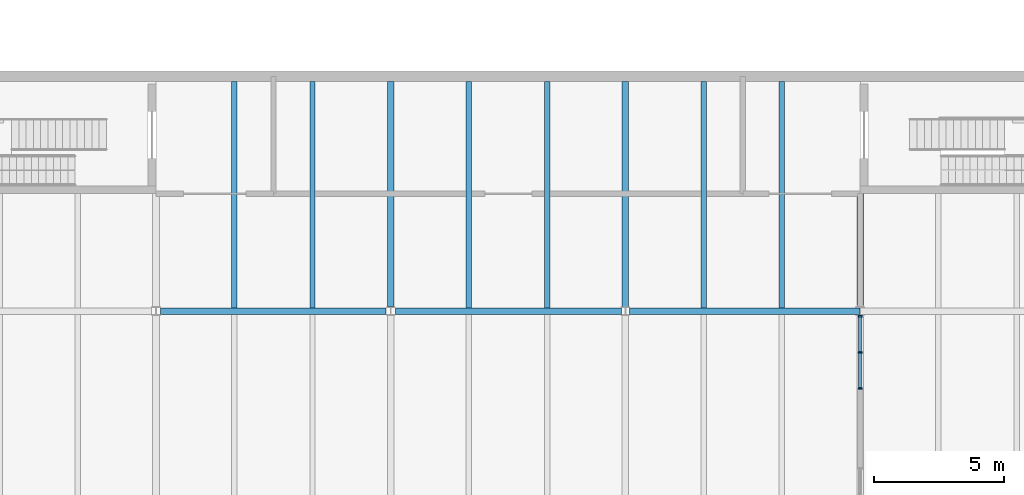
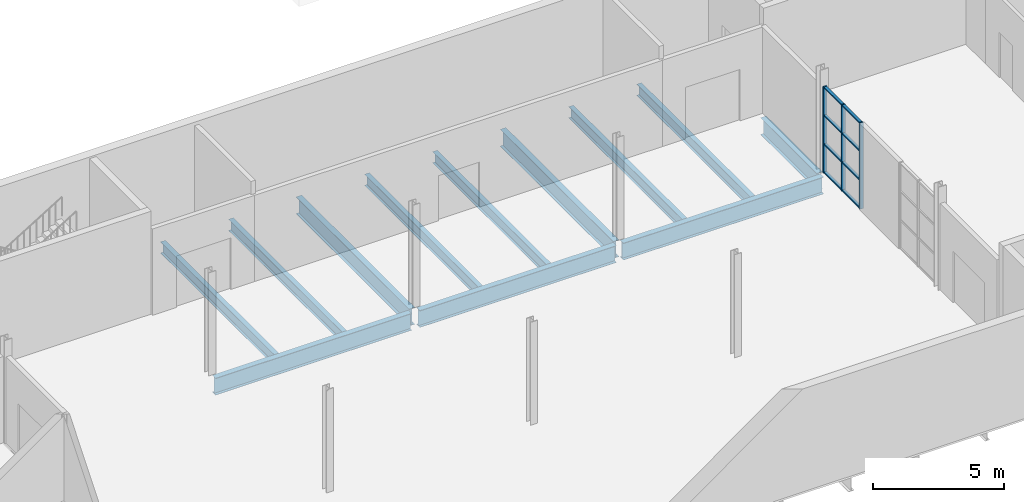
# One storey, part 12 of 31: 12 beams, 11 members, 1 element without a shape of its own.
"""IFC4 building model written with IfcOpenShell, lengths in metres."""

from ifc_helpers import new_model, si_unit, direction, frame, origin, origin_2d, place, context, subcontext, project, spatial, rectangle, i_section, extrude, material, layer, layer_set, material_profile, profile_set, type_object, element, aggregate, save


model = new_model("IFC4")

# Units and contexts
model_context = context("Model", 3, precision=1e-05, world=origin(), true_north=direction((0.0, 1.0)))
body_context = subcontext(model_context, "Body", "Model", "MODEL_VIEW")
ifc_project = project(units=[si_unit("LENGTHUNIT", "METRE"), si_unit("AREAUNIT", "SQUARE_METRE"), si_unit("VOLUMEUNIT", "CUBIC_METRE"), si_unit("PLANEANGLEUNIT", "RADIAN"), si_unit("MASSUNIT", "GRAM", prefix="KILO")], contexts=[model_context])

# Site, building, storey
site_placement = place(None, origin())
site = spatial("IfcSite", under=ifc_project, at=site_placement, CompositionType="ELEMENT")
building_placement = place(site_placement, origin())
building = spatial("IfcBuilding", under=site, at=building_placement, Name="Halyard Row Museum", CompositionType="ELEMENT")
storey_placement = place(building_placement, frame((0.0, 0.0, -4.800048828125)))
storey = spatial("IfcBuildingStorey", under=building, at=storey_placement, Name="B1", CompositionType="ELEMENT", Elevation=-4.800048828125)

# Curtain wall, members
ifc_material_1 = material(Name="Fire-resisting laminated glazing", Category="glass")
ifc_layer = layer(ifc_material_1, 0.159912109375)
ifc_layer_set = layer_set([ifc_layer], Name="Fire-resisting laminated glazing")
curtain_wall_type = type_object("IfcCurtainWallType", Name="Curtain wall atrium screen 160 deep", PredefinedType="NOTDEFINED", material=ifc_layer_set)
curtain_wall_placement = place(storey_placement, origin())
curtain_wall = element("IfcCurtainWall", 1, at=curtain_wall_placement, inside=storey, type_object=curtain_wall_type, Name="Curtain wall CW119", PredefinedType="NOTDEFINED")
ifc_material_2 = material(Name="Powder-coated aluminium section", Category="aluminium")
ifc_material_profile_1 = material_profile(ifc_material_2, rectangle(XDim=0.159912109375, YDim=0.06005859375, at=origin_2d()), Name="160x60 mullion")
ifc_profile_set_1 = profile_set([ifc_material_profile_1], Name="Powder-coated aluminium section")
member_type_1 = type_object("IfcMemberType", Name="Curtain wall mullion CM5 60 x 160", PredefinedType="MULLION", material=ifc_profile_set_1)
member_1_placement = place(storey_placement, frame((63.0, 33.030029296875, 0.0), z_axis=(0.0, 0.0, 1.0), x_axis=(-1.0, 0.0, 0.0)))
member_1 = element("IfcMember", 2, at=member_1_placement, type_object=member_type_1, Name="CW119 mullion 1", PredefinedType="MULLION", context=body_context, shape_type="SweptSolid", body=[
    extrude(rectangle(XDim=0.159912109375, YDim=0.06005859375, at=origin_2d()), origin(), (0.0, 0.0, 1.0), 4.0234375),
])
member_2_placement = place(storey_placement, frame((63.0, 34.415283203125, 0.0), z_axis=(0.0, 0.0, 1.0), x_axis=(-1.0, 0.0, 0.0)))
member_2 = element("IfcMember", 3, at=member_2_placement, type_object=member_type_1, Name="CW119 mullion 2", PredefinedType="MULLION", context=body_context, shape_type="SweptSolid", body=[
    extrude(rectangle(XDim=0.159912109375, YDim=0.06005859375, at=origin_2d()), origin(), (0.0, 0.0, 1.0), 4.0234375),
])
member_3_placement = place(storey_placement, frame((63.0, 35.800537109375, 0.0), z_axis=(0.0, 0.0, 1.0), x_axis=(-1.0, 0.0, 0.0)))
member_3 = element("IfcMember", 4, at=member_3_placement, type_object=member_type_1, Name="CW119 mullion 3", PredefinedType="MULLION", context=body_context, shape_type="SweptSolid", body=[
    extrude(rectangle(XDim=0.159912109375, YDim=0.06005859375, at=origin_2d()), origin(), (0.0, 0.0, 1.0), 4.0234375),
])
ifc_material_3 = material(Name="Powder-coated aluminium section", Category="aluminium")
ifc_material_profile_2 = material_profile(ifc_material_3, rectangle(XDim=0.1201171875, YDim=0.06005859375, at=origin_2d()), Name="120x60 transom")
ifc_profile_set_2 = profile_set([ifc_material_profile_2], Name="Powder-coated aluminium section")
member_type_2 = type_object("IfcMemberType", Name="Curtain wall transom CT5 60 x 120", PredefinedType="USERDEFINED", material=ifc_profile_set_2)
member_4_placement = place(storey_placement, frame((63.0, 33.06005859375, 0.030029296875), z_axis=(0.0, 1.0, 0.0), x_axis=(-1.0, 0.0, 0.0)))
member_4 = element("IfcMember", 5, at=member_4_placement, type_object=member_type_2, Name="CW119 transom 1.1", ObjectType="TRANSOM", PredefinedType="USERDEFINED", context=body_context, shape_type="SweptSolid", body=[
    extrude(rectangle(XDim=0.1201171875, YDim=0.06005859375, at=origin_2d()), origin(), (0.0, 0.0, 1.0), 1.3251953125),
])
member_5_placement = place(storey_placement, frame((63.0, 33.06005859375, 1.341064453125), z_axis=(0.0, 1.0, 0.0), x_axis=(-1.0, 0.0, 0.0)))
member_5 = element("IfcMember", 6, at=member_5_placement, type_object=member_type_2, Name="CW119 transom 1.2", ObjectType="TRANSOM", PredefinedType="USERDEFINED", context=body_context, shape_type="SweptSolid", body=[
    extrude(rectangle(XDim=0.1201171875, YDim=0.06005859375, at=origin_2d()), origin(), (0.0, 0.0, 1.0), 1.3251953125),
])
member_6_placement = place(storey_placement, frame((63.0, 33.06005859375, 2.682373046875), z_axis=(0.0, 1.0, 0.0), x_axis=(-1.0, 0.0, 0.0)))
member_6 = element("IfcMember", 7, at=member_6_placement, type_object=member_type_2, Name="CW119 transom 1.3", ObjectType="TRANSOM", PredefinedType="USERDEFINED", context=body_context, shape_type="SweptSolid", body=[
    extrude(rectangle(XDim=0.1201171875, YDim=0.06005859375, at=origin_2d()), origin(), (0.0, 0.0, 1.0), 1.3251953125),
])
member_7_placement = place(storey_placement, frame((63.0, 33.06005859375, 3.993408203125), z_axis=(0.0, 1.0, 0.0), x_axis=(-1.0, 0.0, 0.0)))
member_7 = element("IfcMember", 8, at=member_7_placement, type_object=member_type_2, Name="CW119 transom 1.4", ObjectType="TRANSOM", PredefinedType="USERDEFINED", context=body_context, shape_type="SweptSolid", body=[
    extrude(rectangle(XDim=0.1201171875, YDim=0.06005859375, at=origin_2d()), origin(), (0.0, 0.0, 1.0), 1.3251953125),
])
member_8_placement = place(storey_placement, frame((63.0, 34.4453125, 0.030029296875), z_axis=(0.0, 1.0, 0.0), x_axis=(-1.0, 0.0, 0.0)))
member_8 = element("IfcMember", 9, at=member_8_placement, type_object=member_type_2, Name="CW119 transom 2.1", ObjectType="TRANSOM", PredefinedType="USERDEFINED", context=body_context, shape_type="SweptSolid", body=[
    extrude(rectangle(XDim=0.1201171875, YDim=0.06005859375, at=origin_2d()), origin(), (0.0, 0.0, 1.0), 1.3251953125),
])
member_9_placement = place(storey_placement, frame((63.0, 34.4453125, 1.341064453125), z_axis=(0.0, 1.0, 0.0), x_axis=(-1.0, 0.0, 0.0)))
member_9 = element("IfcMember", 10, at=member_9_placement, type_object=member_type_2, Name="CW119 transom 2.2", ObjectType="TRANSOM", PredefinedType="USERDEFINED", context=body_context, shape_type="SweptSolid", body=[
    extrude(rectangle(XDim=0.1201171875, YDim=0.06005859375, at=origin_2d()), origin(), (0.0, 0.0, 1.0), 1.3251953125),
])
member_10_placement = place(storey_placement, frame((63.0, 34.4453125, 2.682373046875), z_axis=(0.0, 1.0, 0.0), x_axis=(-1.0, 0.0, 0.0)))
member_10 = element("IfcMember", 11, at=member_10_placement, type_object=member_type_2, Name="CW119 transom 2.3", ObjectType="TRANSOM", PredefinedType="USERDEFINED", context=body_context, shape_type="SweptSolid", body=[
    extrude(rectangle(XDim=0.1201171875, YDim=0.06005859375, at=origin_2d()), origin(), (0.0, 0.0, 1.0), 1.3251953125),
])
member_11_placement = place(storey_placement, frame((63.0, 34.4453125, 3.993408203125), z_axis=(0.0, 1.0, 0.0), x_axis=(-1.0, 0.0, 0.0)))
member_11 = element("IfcMember", 12, at=member_11_placement, type_object=member_type_2, Name="CW119 transom 2.4", ObjectType="TRANSOM", PredefinedType="USERDEFINED", context=body_context, shape_type="SweptSolid", body=[
    extrude(rectangle(XDim=0.1201171875, YDim=0.06005859375, at=origin_2d()), origin(), (0.0, 0.0, 1.0), 1.3251953125),
])
aggregate(curtain_wall, [member_1, member_2, member_3, member_4, member_5, member_6, member_7, member_8, member_9, member_10, member_11])

# Beams
ifc_material_4 = material(Name="Steel Grade 300", Category="steel")
ifc_material_profile_3 = material_profile(ifc_material_4, i_section(OverallWidth=0.25, OverallDepth=0.7919921875, WebThickness=0.010009765625, FlangeThickness=0.01611328125, at=origin_2d()), Name="800WB122")
ifc_profile_set_3 = profile_set([ifc_material_profile_3], Name="Steel Grade 300")
beam_type_1 = type_object("IfcBeamType", Name="Girder beam 800WB122 (lowered 85)", PredefinedType="BEAM", material=ifc_profile_set_3)
beam_1_placement = place(storey_placement, frame((36.175048828125, 36.0, -0.64599609375), z_axis=(1.0, 0.0, 0.0), x_axis=(0.0, 1.0, 0.0)))
element("IfcBeam", 13, at=beam_1_placement, inside=storey, type_object=beam_type_1, Name="Beam B1-011", PredefinedType="BEAM", context=body_context, shape_type="SweptSolid", body=[
    extrude(i_section(OverallWidth=0.25, OverallDepth=0.7919921875, WebThickness=0.010009765625, FlangeThickness=0.01611328125, at=origin_2d()), origin(), (0.0, 0.0, 1.0), 8.64990234375),
])
beam_2_placement = place(storey_placement, frame((45.175048828125, 36.0, -0.64599609375), z_axis=(1.0, 0.0, 0.0), x_axis=(0.0, 1.0, 0.0)))
element("IfcBeam", 14, at=beam_2_placement, inside=storey, type_object=beam_type_1, Name="Beam B1-012", PredefinedType="BEAM", context=body_context, shape_type="SweptSolid", body=[
    extrude(i_section(OverallWidth=0.25, OverallDepth=0.7919921875, WebThickness=0.010009765625, FlangeThickness=0.01611328125, at=origin_2d()), origin(), (0.0, 0.0, 1.0), 8.66943359375),
])
beam_3_placement = place(storey_placement, frame((54.155517578125, 36.0, -0.64599609375), z_axis=(1.0, 0.0, 0.0), x_axis=(0.0, 1.0, 0.0)))
element("IfcBeam", 15, at=beam_3_placement, inside=storey, type_object=beam_type_1, Name="Beam B1-013", PredefinedType="BEAM", context=body_context, shape_type="SweptSolid", body=[
    extrude(i_section(OverallWidth=0.25, OverallDepth=0.7919921875, WebThickness=0.010009765625, FlangeThickness=0.01611328125, at=origin_2d()), origin(), (0.0, 0.0, 1.0), 8.83203125),
])
beam_4_placement = place(storey_placement, frame((45.0, 36.16943359375, -0.64599609375), z_axis=(0.0, 1.0, 0.0), x_axis=(-1.0, 0.0, 0.0)))
element("IfcBeam", 16, at=beam_4_placement, inside=storey, type_object=beam_type_1, Name="Beam B1-029", PredefinedType="BEAM", context=body_context, shape_type="SweptSolid", body=[
    extrude(i_section(OverallWidth=0.25, OverallDepth=0.7919921875, WebThickness=0.010009765625, FlangeThickness=0.01611328125, at=origin_2d()), origin(), (0.0, 0.0, 1.0), 8.630615234375),
])
beam_5_placement = place(storey_placement, frame((54.0, 36.16357421875, -0.64599609375), z_axis=(0.0, 1.0, 0.0), x_axis=(-1.0, 0.0, 0.0)))
element("IfcBeam", 17, at=beam_5_placement, inside=storey, type_object=beam_type_1, Name="Beam B1-032", PredefinedType="BEAM", context=body_context, shape_type="SweptSolid", body=[
    extrude(i_section(OverallWidth=0.25, OverallDepth=0.7919921875, WebThickness=0.010009765625, FlangeThickness=0.01611328125, at=origin_2d()), origin(), (0.0, 0.0, 1.0), 8.636474609375),
])
beam_6_placement = place(storey_placement, frame((63.0, 36.20703125, -0.64599609375), z_axis=(0.0, 1.0, 0.0), x_axis=(-1.0, 0.0, 0.0)))
element("IfcBeam", 18, at=beam_6_placement, inside=storey, type_object=beam_type_1, Name="Beam B1-035", PredefinedType="BEAM", context=body_context, shape_type="SweptSolid", body=[
    extrude(i_section(OverallWidth=0.25, OverallDepth=0.7919921875, WebThickness=0.010009765625, FlangeThickness=0.01611328125, at=origin_2d()), origin(), (0.0, 0.0, 1.0), 4.29296875),
])
ifc_material_5 = material(Name="Steel Grade 300", Category="steel")
ifc_material_profile_4 = material_profile(ifc_material_5, i_section(OverallWidth=0.208984375, OverallDepth=0.5283203125, WebThickness=0.009521484375, FlangeThickness=0.01318359375, FilletRadius=0.013916015625, at=origin_2d()), Name="530UB82.0")
ifc_profile_set_4 = profile_set([ifc_material_profile_4], Name="Steel Grade 300")
beam_type_2 = type_object("IfcBeamType", Name="Secondary beam 530UB82.0 (lowered 85)", PredefinedType="BEAM", material=ifc_profile_set_4)
for number, where, z_axis, x_axis, name in (
    (19, (39.0, 36.125, -0.51416015625), (0.0, 1.0, 0.0), (-1.0, 0.0, 0.0), "Beam B1-088"),
    (20, (42.0, 36.125, -0.51416015625), (0.0, 1.0, 0.0), (-1.0, 0.0, 0.0), "Beam B1-089"),
    (21, (48.0, 36.125, -0.51416015625), (0.0, 1.0, 0.0), (-1.0, 0.0, 0.0), "Beam B1-090"),
    (22, (51.0, 36.125, -0.51416015625), (0.0, 1.0, 0.0), (-1.0, 0.0, 0.0), "Beam B1-091"),
    (23, (57.0, 36.125, -0.51416015625), (0.0, 1.0, 0.0), (-1.0, 0.0, 0.0), "Beam B1-092"),
    (24, (60.0, 36.125, -0.51416015625), (0.0, 1.0, 0.0), (-1.0, 0.0, 0.0), "Beam B1-093"),
):
    element("IfcBeam", number, at=place(storey_placement, frame(where, z_axis=z_axis, x_axis=x_axis)), inside=storey, type_object=beam_type_2, Name=name, PredefinedType="BEAM", context=body_context, shape_type="SweptSolid", body=[
        extrude(i_section(OverallWidth=0.208984375, OverallDepth=0.5283203125, WebThickness=0.009521484375, FlangeThickness=0.01318359375, FilletRadius=0.013916015625, at=origin_2d()), origin(), (0.0, 0.0, 1.0), 8.675048828125),
    ])

save(model, "model.ifc")
